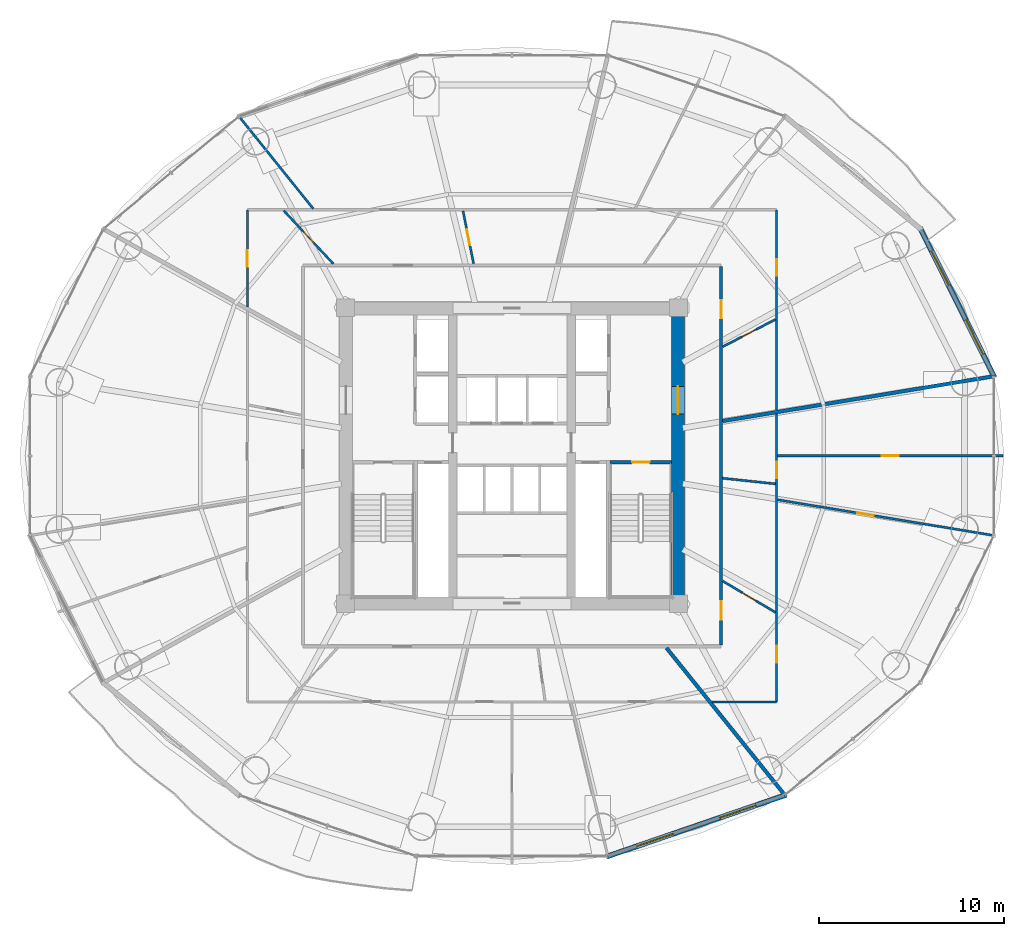
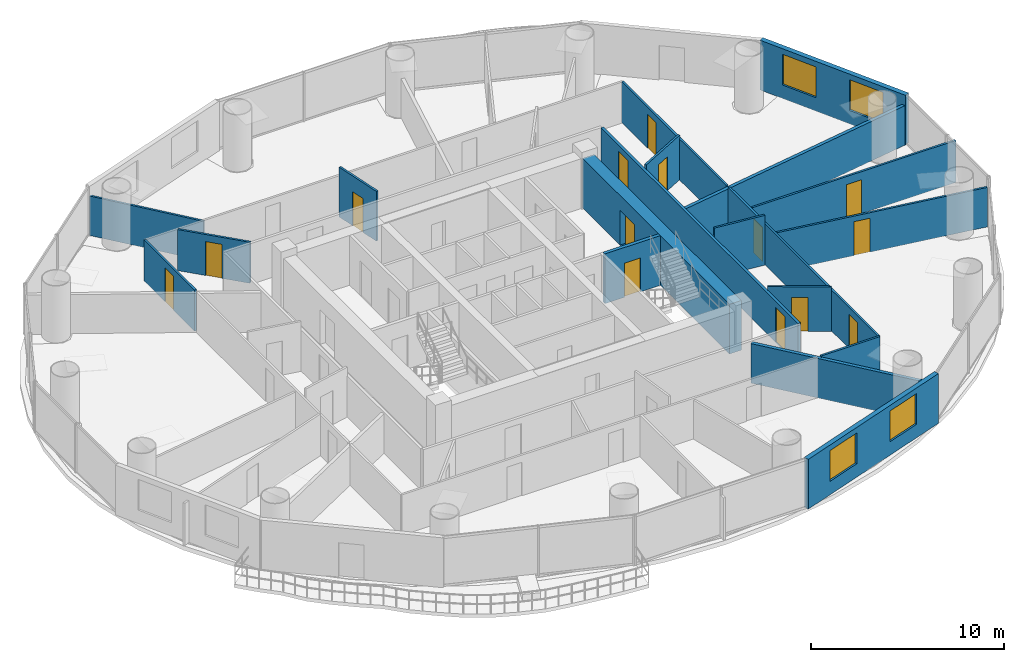
# One storey, part 24 of 29: 19 walls, 14 doors, 4 windows, 18 openings.
"""IFC4 building model written with IfcOpenShell, lengths in metres."""

import ifcopenshell
import ifcopenshell.guid

model = None  # the IFC model being written
_history = None  # IfcOwnerHistory: only IFC2X3 demands one
_inside = {}  # id of a spatial element -> (the spatial element, [elements in it])
_under = {}  # id of a project, library or spatial element -> (it, [spatial elements below it])
_declared = {}  # id of a project -> (the project, [libraries it declares])
_typed = {}  # id of a type object -> (the type object, [elements of that type])
_made_of = {}  # id of a material, layer set ... -> (it, [elements and type objects made of it])


def new_model(schema):
    """Start an empty IFC model of exactly this schema.

    Asked for "IFC4X3", IfcOpenShell would pick the latest addendum, in which some entities
    have other attributes; the version numbers below select the first issue.
    IFC2X3 requires an IfcOwnerHistory on every rooted entity: one is made here for all.
    """
    global model, _history
    if schema == "IFC4X3":
        model = ifcopenshell.file(schema_version=(4, 3, 0, 0))
    else:
        model = ifcopenshell.file(schema=schema)
    _inside.clear()
    _under.clear()
    _declared.clear()
    _typed.clear()
    _made_of.clear()
    _history = None
    if model.schema == "IFC2X3":
        org = make("IfcOrganization", Name="unknown")
        user = make(
            "IfcPersonAndOrganization",
            ThePerson=make("IfcPerson", FamilyName="unknown"),
            TheOrganization=org,
        )
        app = make(
            "IfcApplication",
            ApplicationDeveloper=org,
            Version="unknown",
            ApplicationFullName="unknown",
            ApplicationIdentifier="unknown",
        )
        _history = make(
            "IfcOwnerHistory",
            OwningUser=user,
            OwningApplication=app,
            ChangeAction="ADDED",
            CreationDate=0,
        )
    return model


def make(cls, **values):
    """One entity of the class cls with the attributes given. An attribute that is None is left unset."""
    return model.create_entity(
        cls, **{name: value for name, value in values.items() if value is not None}
    )


def rooted(cls, **values):
    """An entity with a GlobalId (a new one), such as an element, a storey or a relation."""
    return make(cls, GlobalId=ifcopenshell.guid.new(), OwnerHistory=_history, **values)


def si_unit(unit_type, name, prefix=None):
    """IfcSIUnit, for example si_unit("LENGTHUNIT", "METRE", prefix="MILLI")."""
    return make("IfcSIUnit", UnitType=unit_type, Prefix=prefix, Name=name)


def assignment(units):
    """IfcUnitAssignment: the units of a project."""
    return None if units is None else make("IfcUnitAssignment", Units=units)


def point(xyz):
    """IfcCartesianPoint."""
    return None if xyz is None else make("IfcCartesianPoint", Coordinates=xyz)


def direction(xyz):
    """IfcDirection."""
    return None if xyz is None else make("IfcDirection", DirectionRatios=xyz)


def frame(location, z_axis=None, x_axis=None):
    """IfcAxis2Placement3D, a coordinate frame: its origin and axes. An axis left out is left unset."""
    return make(
        "IfcAxis2Placement3D",
        Location=point(location),
        Axis=direction(z_axis),
        RefDirection=direction(x_axis),
    )


def frame_2d(location, x_axis=None):
    """IfcAxis2Placement2D, a coordinate frame in the plane: its origin and x axis."""
    return make(
        "IfcAxis2Placement2D", Location=point(location), RefDirection=direction(x_axis)
    )


def origin():
    """The frame at (0, 0, 0) with its axes left unset."""
    return frame((0.0, 0.0, 0.0))


def place(relative_to, where):
    """IfcLocalPlacement: puts the frame where relative to a parent placement (None: the world)."""
    return make(
        "IfcLocalPlacement", PlacementRelTo=relative_to, RelativePlacement=where
    )


def context(
    kind, dimensions, precision=None, world=None, true_north=None, identifier=None
):
    """IfcGeometricRepresentationContext, for example the 3D "Model" context."""
    return make(
        "IfcGeometricRepresentationContext",
        ContextIdentifier=identifier,
        ContextType=kind,
        CoordinateSpaceDimension=dimensions,
        Precision=precision,
        WorldCoordinateSystem=world,
        TrueNorth=true_north,
    )


def subcontext(parent, identifier, kind, view, scale=None):
    """IfcGeometricRepresentationSubContext, for example "Body" below "Model"."""
    return make(
        "IfcGeometricRepresentationSubContext",
        ContextIdentifier=identifier,
        ContextType=kind,
        ParentContext=parent,
        TargetScale=scale,
        TargetView=view,
    )


def project(units=None, contexts=None):
    """IfcProject with its units and contexts."""
    return rooted(
        "IfcProject",
        Name="project",
        RepresentationContexts=contexts,
        UnitsInContext=assignment(units),
    )


def spatial(cls, under=None, at=None, **own):
    """A site, building, storey or space (cls), placed at a placement, below another one or the project."""
    s = rooted(cls, ObjectPlacement=at, **own)
    if under is not None:
        _under.setdefault(under.id(), (under, []))[1].append(s)
    return s


def profile(cls, at=None, kind="AREA", **sizes):
    """A parametric profile (cls). Its sizes go by their IFC names, for example OverallWidth=200.0."""
    return make(cls, ProfileType=kind, Position=at, **sizes)


def rectangle(**sizes):
    """IfcRectangleProfileDef."""
    return profile("IfcRectangleProfileDef", **sizes)


def extrude(swept, where, along, depth):
    """IfcExtrudedAreaSolid: the profile swept, set in the frame where, extruded along a direction by depth."""
    return make(
        "IfcExtrudedAreaSolid",
        SweptArea=swept,
        Position=where,
        ExtrudedDirection=direction(along),
        Depth=depth,
    )


def shape(context_of_items, identifier, shape_type, items):
    """IfcShapeRepresentation: the items that make up one representation, for example the "Body"."""
    return make(
        "IfcShapeRepresentation",
        ContextOfItems=context_of_items,
        RepresentationIdentifier=identifier,
        RepresentationType=shape_type,
        Items=items,
    )


def source(mapping_origin, context_of_items, identifier, shape_type, items):
    """IfcRepresentationMap: a shape defined once, which mapped items show again and again."""
    return make(
        "IfcRepresentationMap",
        MappingOrigin=mapping_origin,
        MappedRepresentation=shape(context_of_items, identifier, shape_type, items),
    )


def transform(
    local_origin,
    x_axis=None,
    y_axis=None,
    z_axis=None,
    scale=None,
    scale2=None,
    scale3=None,
    uniform=True,
):
    """IfcCartesianTransformationOperator3D, or its non-uniform kind. x_axis, y_axis, z_axis: its Axis1, 2, 3."""
    if uniform:
        return make(
            "IfcCartesianTransformationOperator3D",
            Axis1=direction(x_axis),
            Axis2=direction(y_axis),
            LocalOrigin=point(local_origin),
            Scale=scale,
            Axis3=direction(z_axis),
        )
    return make(
        "IfcCartesianTransformationOperator3DnonUniform",
        Axis1=direction(x_axis),
        Axis2=direction(y_axis),
        LocalOrigin=point(local_origin),
        Scale=scale,
        Axis3=direction(z_axis),
        Scale2=scale2,
        Scale3=scale3,
    )


def mapped(mapping_source, mapping_target):
    """IfcMappedItem: shows the shape of a source again, moved by a transform."""
    return make(
        "IfcMappedItem", MappingSource=mapping_source, MappingTarget=mapping_target
    )


def material(Name=None, Category=None):
    """IfcMaterial."""
    return make("IfcMaterial", Name=Name, Category=Category)


def layer(
    of_material, thickness, ventilated=None, Name=None, Category=None, Priority=None
):
    """IfcMaterialLayer: one layer of a wall or slab, of a material (None: an air gap)."""
    return make(
        "IfcMaterialLayer",
        Material=of_material,
        LayerThickness=thickness,
        IsVentilated=ventilated,
        Name=Name,
        Category=Category,
        Priority=Priority,
    )


def layer_set(layers, Name=None):
    """IfcMaterialLayerSet."""
    return make("IfcMaterialLayerSet", MaterialLayers=layers, LayerSetName=Name)


def made_of(thing, what):
    """Note that an element or type object is made of a material, layer set ...; save() writes the relation."""
    if what is not None:
        _made_of.setdefault(what.id(), (what, []))[1].append(thing)
    return thing


def type_object(cls, material=None, **own):
    """A type object (cls), such as IfcWallType, which elements share."""
    return made_of(rooted(cls, **own), material)


def element(
    cls,
    number,
    at=None,
    inside=None,
    cuts=None,
    type_object=None,
    material=None,
    context=None,
    identifier="Body",
    shape_type=None,
    held_by="IfcProductDefinitionShape",
    body=None,
    shapes=None,
    **own,
):
    """One element of the class cls, such as IfcWall. Its Tag is "e" and its number.

    at: its placement. inside: the storey or other place that contains it. cuts: it is an
    opening in that element (IfcRelVoidsElement). A single representation is given by context,
    identifier, shape_type and body (its items); several are given by shapes. held_by: the class
    of the entity that holds the representations. save() writes the other relations.
    """
    e = rooted(cls, Tag="e%d" % number, ObjectPlacement=at, **own)
    if body is not None:
        shapes = [shape(context, identifier, shape_type, body)]
    if shapes is not None:
        e.Representation = make(held_by, Representations=shapes)
    if inside is not None:
        _inside.setdefault(inside.id(), (inside, []))[1].append(e)
    if cuts is not None:
        rooted(
            "IfcRelVoidsElement", RelatingBuildingElement=cuts, RelatedOpeningElement=e
        )
    if type_object is not None:
        _typed.setdefault(type_object.id(), (type_object, []))[1].append(e)
    return made_of(e, material)


def fill(opening, filler):
    """IfcRelFillsElement: the door or window that sits in an opening."""
    return rooted(
        "IfcRelFillsElement",
        RelatingOpeningElement=opening,
        RelatedBuildingElement=filler,
    )


def aggregate(whole, parts):
    """IfcRelAggregates: a whole, such as a stair, and the parts it consists of."""
    return rooted("IfcRelAggregates", RelatingObject=whole, RelatedObjects=parts)


def save(model, path):
    """Write the relations noted so far, then the file.

    IfcRelAggregates (storeys below a building ...), IfcRelContainedInSpatialStructure (elements
    in a storey), IfcRelDefinesByType, IfcRelAssociatesMaterial and IfcRelDeclares: one each for
    every whole, place, type object, material and project.
    """
    for whole, parts in _under.values():
        aggregate(whole, parts)
    for where, things in _inside.values():
        rooted(
            "IfcRelContainedInSpatialStructure",
            RelatedElements=things,
            RelatingStructure=where,
        )
    for kind, things in _typed.values():
        rooted("IfcRelDefinesByType", RelatedObjects=things, RelatingType=kind)
    for what, things in _made_of.values():
        rooted("IfcRelAssociatesMaterial", RelatedObjects=things, RelatingMaterial=what)
    for by, libraries in _declared.values():
        rooted("IfcRelDeclares", RelatingContext=by, RelatedDefinitions=libraries)
    model.write(path)


model = new_model("IFC4")

# Units and contexts
model_context = context("Model", 3, precision=1e-05, world=origin(), true_north=direction((-0.2419218956, 0.970295726276)))
body_context = subcontext(model_context, "Body", "Model", "MODEL_VIEW")
ifc_project = project(units=[si_unit("LENGTHUNIT", "METRE"), si_unit("AREAUNIT", "SQUARE_METRE"), si_unit("VOLUMEUNIT", "CUBIC_METRE"), si_unit("PLANEANGLEUNIT", "RADIAN"), si_unit("MASSUNIT", "GRAM", prefix="KILO")], contexts=[model_context])

# Site, building, storey
site_placement = place(None, origin())
site = spatial("IfcSite", under=ifc_project, at=site_placement, CompositionType="ELEMENT")
building_placement = place(site_placement, origin())
building = spatial("IfcBuilding", under=site, at=building_placement, Name="Cobrevalo Terracotta Tower", CompositionType="ELEMENT")
storey_placement = place(building_placement, frame((0.0, 0.0, 126.60009765625)))
storey = spatial("IfcBuildingStorey", under=building, at=storey_placement, Name="L33", CompositionType="ELEMENT", Elevation=126.60009765625)

# Wall, opening, door
ifc_material_1 = material(Name="Concrete C60", Category="concrete")
ifc_layer_1 = layer(ifc_material_1, 0.699951171875)
ifc_layer_set_1 = layer_set([ifc_layer_1], Name="Concrete C60")
wall_type_1 = type_object("IfcWallType", Name="Core shear wall 700 mm Concrete C60", PredefinedType="SHEAR", material=ifc_layer_set_1)
wall_1_placement = place(storey_placement, frame((46.97509765625, 19.175048828125, 0.0), z_axis=(0.0, 0.0, 1.0), x_axis=(0.0, 1.0, 0.0)))
wall_1 = element("IfcWall", 1, at=wall_1_placement, inside=storey, type_object=wall_type_1, Name="L33 east core shear wall", PredefinedType="SHEAR", context=body_context, shape_type="SweptSolid", body=[
    extrude(rectangle(XDim=15.25, YDim=0.699951171875, at=frame_2d((7.625, 0.0))), origin(), (0.0, 0.0, 1.0), 3.14990234375),
])
opening_1_placement = place(wall_1_placement, frame((9.875, 0.0, 0.0)))
opening_1 = element("IfcOpeningElement", 2, at=opening_1_placement, cuts=wall_1, Name="Opening ID-14", PredefinedType="OPENING", context=body_context, shape_type="SweptSolid", body=[
    extrude(rectangle(XDim=1.5, YDim=2.199951171875, at=frame_2d((0.75, 1.10009765625))), frame((0.0, 0.35986328125, 0.0), z_axis=(0.0, -1.0, 0.0), x_axis=(1.0, 0.0, 0.0)), (0.0, 0.0, 1.0), 0.719970703125),
])
ifc_material_2 = material(Name="Galvanized fire-rated steel", Category="steel")
door_type_1 = type_object("IfcDoorType", Name="Core cross-lobby double fire door 1500x2200 EI 90", OperationType="NOTDEFINED", PredefinedType="DOOR", material=ifc_material_2)
shared_shape_1 = source(origin(), body_context, "Body", "SweptSolid", [
    extrude(rectangle(XDim=1.5, YDim=2.199951171875, at=frame_2d((0.75, 1.10009765625))), frame((0.0, 0.02490234375, 0.0), z_axis=(0.0, -1.0, 0.0), x_axis=(1.0, 0.0, 0.0)), (0.0, 0.0, 1.0), 0.050048828125),
])
door_1_placement = place(opening_1_placement, frame((1.5, 0.0, 0.0), z_axis=(0.0, 0.0, 1.0), x_axis=(-1.0, 0.0, 0.0)))
door_1 = element("IfcDoor", 3, at=door_1_placement, inside=storey, type_object=door_type_1, Name="L33 east firefighting lobby entrance door", OperationType="DOUBLE_DOOR_SINGLE_SWING", OverallHeight=2.199951171875, OverallWidth=1.5, PredefinedType="DOOR", context=body_context, shape_type="MappedRepresentation", body=[
    mapped(shared_shape_1, transform((0.0, 0.0, 0.0), scale=1.0)),
])
fill(opening_1, door_1)

# Wall, openings, doors
ifc_material_3 = material(Name="Gypsum board on steel stud", Category="steel")
ifc_layer_2 = layer(ifc_material_3, 0.159912109375)
ifc_layer_set_2 = layer_set([ifc_layer_2], Name="Gypsum board on steel stud")
wall_type_2 = type_object("IfcWallType", Name="Fire-rated corridor acoustic partition wall 160 mm", PredefinedType="PARTITIONING", material=ifc_layer_set_2)
wall_2_placement = place(storey_placement, frame((49.304931640625, 16.574951171875, 0.0), z_axis=(0.0, 0.0, 1.0), x_axis=(0.0, 1.0, 0.0)))
wall_2 = element("IfcWall", 4, at=wall_2_placement, inside=storey, type_object=wall_type_2, Name="L33 interior partition IW-L33-COR-E", PredefinedType="PARTITIONING", context=body_context, shape_type="SweptSolid", body=[
    extrude(rectangle(XDim=20.449951171875, YDim=0.159912109375, at=frame_2d((10.22509765625, 0.0))), origin(), (0.0, 0.0, 1.0), 2.595947265625),
])
opening_2_placement = place(wall_2_placement, frame((17.660400390625, 0.0, 0.0)))
opening_2 = element("IfcOpeningElement", 5, at=opening_2_placement, cuts=wall_2, Name="Opening ID-05", PredefinedType="OPENING", context=body_context, shape_type="SweptSolid", body=[
    extrude(rectangle(XDim=0.97998046875, YDim=2.199951171875, at=frame_2d((0.489990234375, 1.10009765625))), frame((0.0, 0.08984375, 0.0), z_axis=(0.0, -1.0, 0.0), x_axis=(1.0, 0.0, 0.0)), (0.0, 0.0, 1.0), 0.179931640625),
])
opening_3_placement = place(wall_2_placement, frame((1.3740234375, 0.0, 0.0)))
opening_3 = element("IfcOpeningElement", 6, at=opening_3_placement, cuts=wall_2, Name="Opening ID-05", PredefinedType="OPENING", context=body_context, shape_type="SweptSolid", body=[
    extrude(rectangle(XDim=0.97998046875, YDim=2.199951171875, at=frame_2d((0.489990234375, 1.10009765625))), frame((0.0, 0.08984375, 0.0), z_axis=(0.0, -1.0, 0.0), x_axis=(1.0, 0.0, 0.0)), (0.0, 0.0, 1.0), 0.179931640625),
])
ifc_material_4 = material(Name="Solid hardwood timber", Category="wood")
door_type_2 = type_object("IfcDoorType", Name="Residence entrance fire-rated acoustic timber door 980x2200 EI 60", OperationType="NOTDEFINED", PredefinedType="DOOR", material=ifc_material_4)
shared_shape_2 = source(origin(), body_context, "Body", "SweptSolid", [
    extrude(rectangle(XDim=0.97998046875, YDim=2.199951171875, at=frame_2d((0.489990234375, 1.10009765625))), frame((0.0, 0.02490234375, 0.0), z_axis=(0.0, -1.0, 0.0), x_axis=(1.0, 0.0, 0.0)), (0.0, 0.0, 1.0), 0.050048828125),
])
door_2_placement = place(opening_2_placement, frame((0.97998046875, 0.0, 0.0), z_axis=(0.0, 0.0, 1.0), x_axis=(-1.0, 0.0, 0.0)))
door_2 = element("IfcDoor", 7, at=door_2_placement, inside=storey, type_object=door_type_2, Name="Flat L33A fire-rated apartment entrance door", OperationType="SINGLE_SWING_LEFT", OverallHeight=2.199951171875, OverallWidth=0.97998046875, PredefinedType="DOOR", context=body_context, shape_type="MappedRepresentation", body=[
    mapped(shared_shape_2, transform((0.0, 0.0, 0.0), scale=1.0)),
])
fill(opening_2, door_2)
door_3_placement = place(opening_3_placement, frame((0.97998046875, 0.0, 0.0), z_axis=(0.0, 0.0, 1.0), x_axis=(-1.0, 0.0, 0.0)))
door_3 = element("IfcDoor", 8, at=door_3_placement, inside=storey, type_object=door_type_2, Name="Flat L33E fire-rated apartment entrance door", OperationType="SINGLE_SWING_LEFT", OverallHeight=2.199951171875, OverallWidth=0.97998046875, PredefinedType="DOOR", context=body_context, shape_type="MappedRepresentation", body=[
    mapped(shared_shape_2, transform((0.0, 0.0, 0.0), scale=1.0)),
])
fill(opening_3, door_3)

# Walls
ifc_material_5 = material(Name="Autoclaved aerated concrete block", Category="concrete")
ifc_layer_3 = layer(ifc_material_5, 0.199951171875)
ifc_layer_set_3 = layer_set([ifc_layer_3], Name="Autoclaved aerated concrete block")
wall_type_3 = type_object("IfcWallType", Name="Fire-rated stair, shaft & demising masonry wall 200 mm", PredefinedType="PARTITIONING", material=ifc_layer_set_3)
wall_3_placement = place(storey_placement, frame((49.386962890625, 28.681884765625, 0.0), z_axis=(0.0, 0.0, 1.0), x_axis=(0.986617934215, 0.163049231479, 0.0)))
element("IfcWall", 9, at=wall_3_placement, inside=storey, type_object=wall_type_3, Name="L33 interior partition IW-L33-DEM-1", PredefinedType="PARTITIONING", context=body_context, shape_type="SweptSolid", body=[
    extrude(rectangle(XDim=14.78466796875, YDim=0.199951171875, at=frame_2d((7.392333984375, 0.0))), origin(), (0.0, 0.0, 1.0), 2.5),
])
wall_4_placement = place(storey_placement, frame((46.35205078125, 16.4150390625, 0.0), z_axis=(0.0, 0.0, 1.0), x_axis=(0.626701127389, -0.779259710834, 0.0)))
element("IfcWall", 10, at=wall_4_placement, inside=storey, type_object=wall_type_3, Name="L33 interior partition IW-L33-DEM-5", PredefinedType="PARTITIONING", context=body_context, shape_type="SweptSolid", body=[
    extrude(rectangle(XDim=10.14111328125, YDim=0.199951171875, at=frame_2d((5.070556640625, 0.0))), origin(), (0.0, 0.0, 1.0), 2.5),
])

# Wall, openings, windows
ifc_layer_4 = layer(ifc_material_5, 0.280029296875)
ifc_layer_set_4 = layer_set([ifc_layer_4], Name="Autoclaved aerated concrete block")
wall_type_4 = type_object("IfcWallType", Name="Insulated tower spandrel & pier wall 280 mm with terracotta rainscreen", PredefinedType="SOLIDWALL", material=ifc_layer_set_4)
wall_5_placement = place(storey_placement, frame((64.09521484375, 31.033935546875, 0.0), z_axis=(0.0, 0.0, 1.0), x_axis=(-0.446263788661, 0.894901464369, 0.0)))
wall_5 = element("IfcWall", 11, at=wall_5_placement, inside=storey, type_object=wall_type_4, Name="L33 terracotta rainscreen pier wall S01", PredefinedType="SOLIDWALL", context=body_context, shape_type="SweptSolid", body=[
    extrude(rectangle(XDim=9.05029296875, YDim=0.280029296875, at=frame_2d((4.525146484375, 0.0))), origin(), (0.0, 0.0, 1.0), 3.14990234375),
])
opening_4_placement = place(wall_5_placement, frame((1.3935546875, 0.0, 0.85009765625)))
opening_4 = element("IfcOpeningElement", 12, at=opening_4_placement, cuts=wall_5, Name="Opening WN-10", PredefinedType="OPENING", context=body_context, shape_type="SweptSolid", body=[
    extrude(rectangle(XDim=2.10009765625, YDim=1.949951171875, at=frame_2d((1.050048828125, 0.97509765625))), frame((0.0, 0.14990234375, 0.0), z_axis=(0.0, -1.0, 0.0), x_axis=(1.0, 0.0, 0.0)), (0.0, 0.0, 1.0), 0.300048828125),
])
opening_5_placement = place(wall_5_placement, frame((5.556640625, 0.0, 0.85009765625)))
opening_5 = element("IfcOpeningElement", 13, at=opening_5_placement, cuts=wall_5, Name="Opening WN-10", PredefinedType="OPENING", context=body_context, shape_type="SweptSolid", body=[
    extrude(rectangle(XDim=2.10009765625, YDim=1.949951171875, at=frame_2d((1.050048828125, 0.97509765625))), frame((0.0, 0.14990234375, 0.0), z_axis=(0.0, -1.0, 0.0), x_axis=(1.0, 0.0, 0.0)), (0.0, 0.0, 1.0), 0.300048828125),
])
ifc_material_6 = material(Name="Solar-control low-E double glazing", Category="glass")
window_type = type_object("IfcWindowType", Name="Wide panoramic low-E aluminium window 2100x1950", PartitioningType="SINGLE_PANEL", PredefinedType="WINDOW", material=ifc_material_6)
shared_shape_3 = source(origin(), body_context, "Body", "SweptSolid", [
    extrude(rectangle(XDim=2.10009765625, YDim=1.949951171875, at=frame_2d((1.050048828125, 0.97509765625))), frame((0.0, 0.030029296875, 0.0), z_axis=(0.0, -1.0, 0.0), x_axis=(1.0, 0.0, 0.0)), (0.0, 0.0, 1.0), 0.06005859375),
])
window_1_placement = place(opening_4_placement, origin())
window_1 = element("IfcWindow", 14, at=window_1_placement, inside=storey, type_object=window_type, Name="L33 suite window S01A", OverallHeight=1.949951171875, OverallWidth=2.10009765625, PartitioningType="SINGLE_PANEL", PredefinedType="WINDOW", context=body_context, shape_type="MappedRepresentation", body=[
    mapped(shared_shape_3, transform((0.0, 0.0, 0.0), scale=1.0)),
])
fill(opening_4, window_1)
window_2_placement = place(opening_5_placement, origin())
window_2 = element("IfcWindow", 15, at=window_2_placement, inside=storey, type_object=window_type, Name="L33 suite window S01B", OverallHeight=1.949951171875, OverallWidth=2.10009765625, PartitioningType="SINGLE_PANEL", PredefinedType="WINDOW", context=body_context, shape_type="MappedRepresentation", body=[
    mapped(shared_shape_3, transform((0.0, 0.0, 0.0), scale=1.0)),
])
fill(opening_5, window_2)

wall_6_placement = place(storey_placement, frame((43.10791015625, 5.1279296875, 0.0), z_axis=(0.0, 0.0, 1.0), x_axis=(0.945590132341, 0.325360264351, 0.0)))
wall_6 = element("IfcWall", 16, at=wall_6_placement, inside=storey, type_object=wall_type_4, Name="L33 terracotta rainscreen pier wall S13", PredefinedType="SOLIDWALL", context=body_context, shape_type="SweptSolid", body=[
    extrude(rectangle(XDim=10.2890625, YDim=0.280029296875, at=frame_2d((5.14453125, 0.0))), origin(), (0.0, 0.0, 1.0), 3.14990234375),
])
opening_6_placement = place(wall_6_placement, frame((1.72802734375, 0.0, 0.85009765625)))
opening_6 = element("IfcOpeningElement", 17, at=opening_6_placement, cuts=wall_6, Name="Opening WN-10", PredefinedType="OPENING", context=body_context, shape_type="SweptSolid", body=[
    extrude(rectangle(XDim=2.10009765625, YDim=1.949951171875, at=frame_2d((1.050048828125, 0.97509765625))), frame((0.0, 0.14990234375, 0.0), z_axis=(0.0, -1.0, 0.0), x_axis=(1.0, 0.0, 0.0)), (0.0, 0.0, 1.0), 0.300048828125),
])
opening_7_placement = place(wall_6_placement, frame((6.4609375, 0.0, 0.85009765625)))
opening_7 = element("IfcOpeningElement", 18, at=opening_7_placement, cuts=wall_6, Name="Opening WN-10", PredefinedType="OPENING", context=body_context, shape_type="SweptSolid", body=[
    extrude(rectangle(XDim=2.10009765625, YDim=1.949951171875, at=frame_2d((1.050048828125, 0.97509765625))), frame((0.0, 0.14990234375, 0.0), z_axis=(0.0, -1.0, 0.0), x_axis=(1.0, 0.0, 0.0)), (0.0, 0.0, 1.0), 0.300048828125),
])
window_3_placement = place(opening_6_placement, origin())
window_3 = element("IfcWindow", 19, at=window_3_placement, inside=storey, type_object=window_type, Name="L33 suite window S13A", OverallHeight=1.949951171875, OverallWidth=2.10009765625, PartitioningType="SINGLE_PANEL", PredefinedType="WINDOW", context=body_context, shape_type="MappedRepresentation", body=[
    mapped(shared_shape_3, transform((0.0, 0.0, 0.0), scale=1.0)),
])
fill(opening_6, window_3)
window_4_placement = place(opening_7_placement, origin())
window_4 = element("IfcWindow", 20, at=window_4_placement, inside=storey, type_object=window_type, Name="L33 suite window S13B", OverallHeight=1.949951171875, OverallWidth=2.10009765625, PartitioningType="SINGLE_PANEL", PredefinedType="WINDOW", context=body_context, shape_type="MappedRepresentation", body=[
    mapped(shared_shape_3, transform((0.0, 0.0, 0.0), scale=1.0)),
])
fill(opening_7, window_4)

# Wall, opening, door
ifc_layer_5 = layer(ifc_material_3, 0.1201171875)
ifc_layer_set_5 = layer_set([ifc_layer_5], Name="Gypsum board on steel stud")
wall_type_5 = type_object("IfcWallType", Name="Residential internal acoustic stud partition 120 mm", PredefinedType="PARTITIONING", material=ifc_layer_set_5)
wall_7_placement = place(storey_placement, frame((52.304931640625, 40.10498046875, 0.0), z_axis=(0.0, 0.0, 1.0), x_axis=(0.0, -1.0, 0.0)))
wall_7 = element("IfcWall", 21, at=wall_7_placement, inside=storey, type_object=wall_type_5, Name="L33 interior partition IW-L33-U1-RING1_0", PredefinedType="PARTITIONING", context=body_context, shape_type="SweptSolid", body=[
    extrude(rectangle(XDim=10.8388671875, YDim=0.1201171875, at=frame_2d((5.41943359375, 0.0))), origin(), (0.0, 0.0, 1.0), 2.595947265625),
])
opening_8_placement = place(wall_7_placement, frame((2.6748046875, 0.0, 0.0)))
opening_8 = element("IfcOpeningElement", 22, at=opening_8_placement, cuts=wall_7, Name="Opening ID-12", PredefinedType="OPENING", context=body_context, shape_type="SweptSolid", body=[
    extrude(rectangle(XDim=0.89990234375, YDim=2.14990234375, at=frame_2d((0.449951171875, 1.074951171875))), frame((0.0, 0.070068359375, 0.0), z_axis=(0.0, -1.0, 0.0), x_axis=(1.0, 0.0, 0.0)), (0.0, 0.0, 1.0), 0.14013671875),
])
ifc_material_7 = material(Name="Engineered timber", Category="wood")
door_type_3 = type_object("IfcDoorType", Name="Internal residence & suite timber door 900x2150", OperationType="NOTDEFINED", PredefinedType="DOOR", material=ifc_material_7)
shared_shape_4 = source(origin(), body_context, "Body", "SweptSolid", [
    extrude(rectangle(XDim=0.89990234375, YDim=2.14990234375, at=frame_2d((0.449951171875, 1.074951171875))), frame((0.0, 0.02490234375, 0.0), z_axis=(0.0, -1.0, 0.0), x_axis=(1.0, 0.0, 0.0)), (0.0, 0.0, 1.0), 0.050048828125),
])
door_4_placement = place(opening_8_placement, origin())
door_4 = element("IfcDoor", 23, at=door_4_placement, inside=storey, type_object=door_type_3, Name="Flat L33A Penthouse Living and Dining Room internal door", OperationType="SINGLE_SWING_LEFT", OverallHeight=2.14990234375, OverallWidth=0.89990234375, PredefinedType="DOOR", context=body_context, shape_type="MappedRepresentation", body=[
    mapped(shared_shape_4, transform((0.0, 0.0, 0.0), scale=1.0)),
])
fill(opening_8, door_4)

wall_8_placement = place(storey_placement, frame((49.38671875, 32.695068359375, 0.0), z_axis=(0.0, 0.0, 1.0), x_axis=(0.888069491277, 0.459709232737, 0.0)))
wall_8 = element("IfcWall", 24, at=wall_8_placement, inside=storey, type_object=wall_type_5, Name="L33 interior partition IW-L33-U1-IRAD1", PredefinedType="PARTITIONING", context=body_context, shape_type="SweptSolid", body=[
    extrude(rectangle(XDim=3.22412109375, YDim=0.1201171875, at=frame_2d((1.612060546875, 0.0))), origin(), (0.0, 0.0, 1.0), 2.824951171875),
])
opening_9_placement = place(wall_8_placement, frame((1.18212890625, 0.0, 0.0)))
opening_9 = element("IfcOpeningElement", 25, at=opening_9_placement, cuts=wall_8, Name="Opening ID-19", PredefinedType="OPENING", context=body_context, shape_type="SweptSolid", body=[
    extrude(rectangle(XDim=0.860107421875, YDim=2.14990234375, at=frame_2d((0.43017578125, 1.074951171875))), frame((0.0, 0.070068359375, 0.0), z_axis=(0.0, -1.0, 0.0), x_axis=(1.0, 0.0, 0.0)), (0.0, 0.0, 1.0), 0.14013671875),
])
ifc_material_8 = material(Name="Moisture-sealed timber", Category="wood")
door_type_4 = type_object("IfcDoorType", Name="Suite bathroom internal timber door 860x2150", OperationType="NOTDEFINED", PredefinedType="DOOR", material=ifc_material_8)
shared_shape_5 = source(origin(), body_context, "Body", "SweptSolid", [
    extrude(rectangle(XDim=0.860107421875, YDim=2.14990234375, at=frame_2d((0.43017578125, 1.074951171875))), frame((0.0, 0.02490234375, 0.0), z_axis=(0.0, -1.0, 0.0), x_axis=(1.0, 0.0, 0.0)), (0.0, 0.0, 1.0), 0.050048828125),
])
door_5_placement = place(opening_9_placement, frame((0.860107421875, 0.0, 0.0), z_axis=(0.0, 0.0, 1.0), x_axis=(-1.0, 0.0, 0.0)))
door_5 = element("IfcDoor", 26, at=door_5_placement, inside=storey, type_object=door_type_4, Name="Flat L33A Primary Bathroom internal door", OperationType="SINGLE_SWING_RIGHT", OverallHeight=2.14990234375, OverallWidth=0.860107421875, PredefinedType="DOOR", context=body_context, shape_type="MappedRepresentation", body=[
    mapped(shared_shape_5, transform((0.0, 0.0, 0.0), scale=1.0)),
])
fill(opening_9, door_5)

wall_9_placement = place(storey_placement, frame((23.695068359375, 34.84326171875, 0.0), z_axis=(0.0, 0.0, 1.0), x_axis=(0.0, 1.0, 0.0)))
wall_9 = element("IfcWall", 27, at=wall_9_placement, inside=storey, type_object=wall_type_5, Name="L33 interior partition IW-L33-U2-RING0_0", PredefinedType="PARTITIONING", context=body_context, shape_type="SweptSolid", body=[
    extrude(rectangle(XDim=5.26171875, YDim=0.1201171875, at=frame_2d((2.630859375, 0.0))), origin(), (0.0, 0.0, 1.0), 2.595947265625),
])
opening_10_placement = place(wall_9_placement, frame((2.180908203125, 0.0, 0.0)))
opening_10 = element("IfcOpeningElement", 28, at=opening_10_placement, cuts=wall_9, Name="Opening ID-12", PredefinedType="OPENING", context=body_context, shape_type="SweptSolid", body=[
    extrude(rectangle(XDim=0.89990234375, YDim=2.14990234375, at=frame_2d((0.449951171875, 1.074951171875))), frame((0.0, 0.070068359375, 0.0), z_axis=(0.0, -1.0, 0.0), x_axis=(1.0, 0.0, 0.0)), (0.0, 0.0, 1.0), 0.14013671875),
])
door_6_placement = place(opening_10_placement, origin())
door_6 = element("IfcDoor", 29, at=door_6_placement, inside=storey, type_object=door_type_3, Name="Flat L33B Master Bedroom internal door", OperationType="SINGLE_SWING_LEFT", OverallHeight=2.14990234375, OverallWidth=0.89990234375, PredefinedType="DOOR", context=body_context, shape_type="MappedRepresentation", body=[
    mapped(shared_shape_4, transform((0.0, 0.0, 0.0), scale=1.0)),
])
fill(opening_10, door_6)

# Wall
wall_10_placement = place(storey_placement, frame((27.2607421875, 40.1533203125, 0.0), z_axis=(0.0, 0.0, 1.0), x_axis=(-0.626714875168, 0.779248654309, 0.0)))
element("IfcWall", 30, at=wall_10_placement, inside=storey, type_object=wall_type_5, Name="L33 interior partition IW-L33-U2-ORAD1", PredefinedType="PARTITIONING", context=body_context, shape_type="SweptSolid", body=[
    extrude(rectangle(XDim=6.331787109375, YDim=0.1201171875, at=frame_2d((3.166015625, 0.0))), origin(), (0.0, 0.0, 1.0), 2.5),
])

# Wall, opening, door
wall_11_placement = place(storey_placement, frame((35.924560546875, 37.18505859375, 0.0), z_axis=(0.0, 0.0, 1.0), x_axis=(-0.196019518907, 0.980599993987, 0.0)))
wall_11 = element("IfcWall", 31, at=wall_11_placement, inside=storey, type_object=wall_type_5, Name="L33 interior partition IW-L33-U2-IRAD1", PredefinedType="PARTITIONING", context=body_context, shape_type="SweptSolid", body=[
    extrude(rectangle(XDim=2.915771484375, YDim=0.1201171875, at=frame_2d((1.4580078125, 0.0))), origin(), (0.0, 0.0, 1.0), 3.14990234375),
])
opening_11_placement = place(wall_11_placement, frame((1.02783203125, 0.0, 0.0)))
opening_11 = element("IfcOpeningElement", 32, at=opening_11_placement, cuts=wall_11, Name="Opening ID-19", PredefinedType="OPENING", context=body_context, shape_type="SweptSolid", body=[
    extrude(rectangle(XDim=0.860107421875, YDim=2.14990234375, at=frame_2d((0.43017578125, 1.074951171875))), frame((0.0, 0.070068359375, 0.0), z_axis=(0.0, -1.0, 0.0), x_axis=(1.0, 0.0, 0.0)), (0.0, 0.0, 1.0), 0.14013671875),
])
door_7_placement = place(opening_11_placement, frame((0.860107421875, 0.0, 0.0), z_axis=(0.0, 0.0, 1.0), x_axis=(-1.0, 0.0, 0.0)))
door_7 = element("IfcDoor", 33, at=door_7_placement, inside=storey, type_object=door_type_4, Name="Flat L33B Primary Bathroom internal door", OperationType="SINGLE_SWING_RIGHT", OverallHeight=2.14990234375, OverallWidth=0.860107421875, PredefinedType="DOOR", context=body_context, shape_type="MappedRepresentation", body=[
    mapped(shared_shape_5, transform((0.0, 0.0, 0.0), scale=1.0)),
])
fill(opening_11, door_7)

wall_12_placement = place(storey_placement, frame((28.335205078125, 37.18505859375, 0.0), z_axis=(0.0, 0.0, 1.0), x_axis=(-0.681251984121, 0.732048997083, 0.0)))
wall_12 = element("IfcWall", 34, at=wall_12_placement, inside=storey, type_object=wall_type_5, Name="L33 interior partition IW-L33-U2-IRAD2", PredefinedType="PARTITIONING", context=body_context, shape_type="SweptSolid", body=[
    extrude(rectangle(XDim=3.9267578125, YDim=0.1201171875, at=frame_2d((1.96337890625, 0.0))), origin(), (0.0, 0.0, 1.0), 2.595947265625),
])
opening_12_placement = place(wall_12_placement, frame((1.513427734375, 0.0, 0.0)))
opening_12 = element("IfcOpeningElement", 35, at=opening_12_placement, cuts=wall_12, Name="Opening ID-12", PredefinedType="OPENING", context=body_context, shape_type="SweptSolid", body=[
    extrude(rectangle(XDim=0.89990234375, YDim=2.14990234375, at=frame_2d((0.449951171875, 1.074951171875))), frame((0.0, 0.070068359375, 0.0), z_axis=(0.0, -1.0, 0.0), x_axis=(1.0, 0.0, 0.0)), (0.0, 0.0, 1.0), 0.14013671875),
])
door_8_placement = place(opening_12_placement, origin())
door_8 = element("IfcDoor", 36, at=door_8_placement, inside=storey, type_object=door_type_3, Name="Flat L33B Kitchen internal door", OperationType="SINGLE_SWING_RIGHT", OverallHeight=2.14990234375, OverallWidth=0.89990234375, PredefinedType="DOOR", context=body_context, shape_type="MappedRepresentation", body=[
    mapped(shared_shape_4, transform((0.0, 0.0, 0.0), scale=1.0)),
])
fill(opening_12, door_8)

# Wall, openings, doors
wall_13_placement = place(storey_placement, frame((52.304931640625, 29.06201171875, 0.0), z_axis=(0.0, 0.0, 1.0), x_axis=(0.0, -1.0, 0.0)))
wall_13 = element("IfcWall", 37, at=wall_13_placement, inside=storey, type_object=wall_type_5, Name="L33 interior partition IW-L33-U5-RING0_0", PredefinedType="PARTITIONING", context=body_context, shape_type="SweptSolid", body=[
    extrude(rectangle(XDim=15.56689453125, YDim=0.1201171875, at=frame_2d((7.783447265625, 0.0))), origin(), (0.0, 0.0, 1.0), 2.595947265625),
])
opening_13_placement = place(wall_13_placement, frame((12.534912109375, 0.0, 0.0)))
opening_13 = element("IfcOpeningElement", 38, at=opening_13_placement, cuts=wall_13, Name="Opening ID-12", PredefinedType="OPENING", context=body_context, shape_type="SweptSolid", body=[
    extrude(rectangle(XDim=0.89990234375, YDim=2.14990234375, at=frame_2d((0.449951171875, 1.074951171875))), frame((0.0, 0.070068359375, 0.0), z_axis=(0.0, -1.0, 0.0), x_axis=(1.0, 0.0, 0.0)), (0.0, 0.0, 1.0), 0.14013671875),
])
opening_14_placement = place(wall_13_placement, frame((2.58203125, 0.0, 0.0)))
opening_14 = element("IfcOpeningElement", 39, at=opening_14_placement, cuts=wall_13, Name="Opening ID-12", PredefinedType="OPENING", context=body_context, shape_type="SweptSolid", body=[
    extrude(rectangle(XDim=0.89990234375, YDim=2.14990234375, at=frame_2d((0.449951171875, 1.074951171875))), frame((0.0, 0.070068359375, 0.0), z_axis=(0.0, -1.0, 0.0), x_axis=(1.0, 0.0, 0.0)), (0.0, 0.0, 1.0), 0.14013671875),
])
door_9_placement = place(opening_13_placement, origin())
door_9 = element("IfcDoor", 40, at=door_9_placement, inside=storey, type_object=door_type_3, Name="Flat L33E Penthouse Living and Dining Room internal door", OperationType="SINGLE_SWING_LEFT", OverallHeight=2.14990234375, OverallWidth=0.89990234375, PredefinedType="DOOR", context=body_context, shape_type="MappedRepresentation", body=[
    mapped(shared_shape_4, transform((0.0, 0.0, 0.0), scale=1.0)),
])
fill(opening_13, door_9)
door_10_placement = place(opening_14_placement, frame((0.89990234375, 0.0, 0.0), z_axis=(0.0, 0.0, 1.0), x_axis=(-1.0, 0.0, 0.0)))
door_10 = element("IfcDoor", 41, at=door_10_placement, inside=storey, type_object=door_type_3, Name="Flat L33E Kitchen internal door", OperationType="SINGLE_SWING_LEFT", OverallHeight=2.14990234375, OverallWidth=0.89990234375, PredefinedType="DOOR", context=body_context, shape_type="MappedRepresentation", body=[
    mapped(shared_shape_4, transform((0.0, 0.0, 0.0), scale=1.0)),
])
fill(opening_14, door_10)

# Wall
wall_14_placement = place(storey_placement, frame((52.304931640625, 13.4951171875, 0.0), z_axis=(0.0, 0.0, 1.0), x_axis=(-1.0, 0.0, 0.0)))
element("IfcWall", 42, at=wall_14_placement, inside=storey, type_object=wall_type_5, Name="L33 interior partition IW-L33-U5-RING1_0", PredefinedType="PARTITIONING", context=body_context, shape_type="SweptSolid", body=[
    extrude(rectangle(XDim=3.502685546875, YDim=0.1201171875, at=frame_2d((1.75146484375, 0.0))), origin(), (0.0, 0.0, 1.0), 2.595947265625),
])

# Wall, opening, door
wall_15_placement = place(storey_placement, frame((52.3662109375, 24.42578125, 0.0), z_axis=(0.0, 0.0, 1.0), x_axis=(0.986619012175, -0.163042708564, 0.0)))
wall_15 = element("IfcWall", 43, at=wall_15_placement, inside=storey, type_object=wall_type_5, Name="L33 interior partition IW-L33-U5-ORAD1", PredefinedType="PARTITIONING", context=body_context, shape_type="SweptSolid", body=[
    extrude(rectangle(XDim=11.76513671875, YDim=0.1201171875, at=frame_2d((5.882568359375, 0.0))), origin(), (0.0, 0.0, 1.0), 2.5),
])
opening_15_placement = place(wall_15_placement, frame((4.359130859375, 0.0, 0.0)))
opening_15 = element("IfcOpeningElement", 44, at=opening_15_placement, cuts=wall_15, Name="Opening ID-12", PredefinedType="OPENING", context=body_context, shape_type="SweptSolid", body=[
    extrude(rectangle(XDim=0.89990234375, YDim=2.14990234375, at=frame_2d((0.449951171875, 1.074951171875))), frame((0.0, 0.070068359375, 0.0), z_axis=(0.0, -1.0, 0.0), x_axis=(1.0, 0.0, 0.0)), (0.0, 0.0, 1.0), 0.14013671875),
])
door_11_placement = place(opening_15_placement, origin())
door_11 = element("IfcDoor", 45, at=door_11_placement, inside=storey, type_object=door_type_3, Name="Flat L33E Master Bedroom internal door", OperationType="SINGLE_SWING_RIGHT", OverallHeight=2.14990234375, OverallWidth=0.89990234375, PredefinedType="DOOR", context=body_context, shape_type="MappedRepresentation", body=[
    mapped(shared_shape_4, transform((0.0, 0.0, 0.0), scale=1.0)),
])
fill(opening_15, door_11)

wall_16_placement = place(storey_placement, frame((52.366943359375, 26.800048828125, 0.0), z_axis=(0.0, 0.0, 1.0), x_axis=(1.0, 0.0, 0.0)))
wall_16 = element("IfcWall", 46, at=wall_16_placement, inside=storey, type_object=wall_type_5, Name="L33 interior partition IW-L33-U5-ORAD2M1", PredefinedType="PARTITIONING", context=body_context, shape_type="SweptSolid", body=[
    extrude(rectangle(XDim=12.173095703125, YDim=0.1201171875, at=frame_2d((6.08642578125, 0.0))), origin(), (0.0, 0.0, 1.0), 2.666015625),
])
opening_16_placement = place(wall_16_placement, frame((5.636474609375, 0.0, 0.0)))
opening_16 = element("IfcOpeningElement", 47, at=opening_16_placement, cuts=wall_16, Name="Opening ID-12", PredefinedType="OPENING", context=body_context, shape_type="SweptSolid", body=[
    extrude(rectangle(XDim=0.89990234375, YDim=2.14990234375, at=frame_2d((0.449951171875, 1.074951171875))), frame((0.0, 0.070068359375, 0.0), z_axis=(0.0, -1.0, 0.0), x_axis=(1.0, 0.0, 0.0)), (0.0, 0.0, 1.0), 0.14013671875),
])
door_12_placement = place(opening_16_placement, origin())
door_12 = element("IfcDoor", 48, at=door_12_placement, inside=storey, type_object=door_type_3, Name="Flat L33E Penthouse Family Lounge internal door", OperationType="SINGLE_SWING_RIGHT", OverallHeight=2.14990234375, OverallWidth=0.89990234375, PredefinedType="DOOR", context=body_context, shape_type="MappedRepresentation", body=[
    mapped(shared_shape_4, transform((0.0, 0.0, 0.0), scale=1.0)),
])
fill(opening_16, door_12)

wall_17_placement = place(storey_placement, frame((49.38671875, 20.033935546875, 0.0), z_axis=(0.0, 0.0, 1.0), x_axis=(0.859682842925, -0.510828160521, 0.0)))
wall_17 = element("IfcWall", 49, at=wall_17_placement, inside=storey, type_object=wall_type_5, Name="L33 interior partition IW-L33-U5-IRAD1", PredefinedType="PARTITIONING", context=body_context, shape_type="SweptSolid", body=[
    extrude(rectangle(XDim=3.33251953125, YDim=0.1201171875, at=frame_2d((1.666259765625, 0.0))), origin(), (0.0, 0.0, 1.0), 2.824951171875),
])
opening_17_placement = place(wall_17_placement, frame((1.236328125, 0.0, 0.0)))
opening_17 = element("IfcOpeningElement", 50, at=opening_17_placement, cuts=wall_17, Name="Opening ID-19", PredefinedType="OPENING", context=body_context, shape_type="SweptSolid", body=[
    extrude(rectangle(XDim=0.860107421875, YDim=2.14990234375, at=frame_2d((0.43017578125, 1.074951171875))), frame((0.0, 0.070068359375, 0.0), z_axis=(0.0, -1.0, 0.0), x_axis=(1.0, 0.0, 0.0)), (0.0, 0.0, 1.0), 0.14013671875),
])
door_13_placement = place(opening_17_placement, origin())
door_13 = element("IfcDoor", 51, at=door_13_placement, inside=storey, type_object=door_type_4, Name="Flat L33E Primary Bathroom internal door", OperationType="SINGLE_SWING_RIGHT", OverallHeight=2.14990234375, OverallWidth=0.860107421875, PredefinedType="DOOR", context=body_context, shape_type="MappedRepresentation", body=[
    mapped(shared_shape_5, transform((0.0, 0.0, 0.0), scale=1.0)),
])
fill(opening_17, door_13)

# Wall
wall_18_placement = place(storey_placement, frame((49.386962890625, 25.58984375, 0.0), z_axis=(0.0, 0.0, 1.0), x_axis=(0.99440393079, -0.105644793673, 0.0)))
element("IfcWall", 52, at=wall_18_placement, inside=storey, type_object=wall_type_5, Name="L33 interior partition IW-L33-U5-IRAD2", PredefinedType="PARTITIONING", context=body_context, shape_type="SweptSolid", body=[
    extrude(rectangle(XDim=2.87255859375, YDim=0.1201171875, at=frame_2d((1.436279296875, 0.0))), origin(), (0.0, 0.0, 1.0), 3.14990234375),
])

# Wall, opening, door
ifc_material_9 = material(Name="Concrete C50", Category="concrete")
ifc_layer_6 = layer(ifc_material_9, 0.199951171875)
ifc_layer_set_6 = layer_set([ifc_layer_6], Name="Concrete C50")
wall_type_6 = type_object("IfcWallType", Name="Structural core & podium stair-shaft RC wall 200 mm Concrete C50", PredefinedType="SOLIDWALL", material=ifc_layer_set_6)
wall_19_placement = place(storey_placement, frame((43.304931640625, 26.449951171875, 0.0), z_axis=(0.0, 0.0, 1.0), x_axis=(1.0, 0.0, 0.0)))
wall_19 = element("IfcWall", 53, at=wall_19_placement, inside=storey, type_object=wall_type_6, Name="L33 ST-2 north structural shaft wall", PredefinedType="SOLIDWALL", context=body_context, shape_type="SweptSolid", body=[
    extrude(rectangle(XDim=3.320068359375, YDim=0.199951171875, at=frame_2d((1.66015625, 0.0))), origin(), (0.0, 0.0, 1.0), 3.14990234375),
])
opening_18_placement = place(wall_19_placement, frame((1.18505859375, 0.0, 0.0)))
opening_18 = element("IfcOpeningElement", 54, at=opening_18_placement, cuts=wall_19, Name="Opening ID-04", PredefinedType="OPENING", context=body_context, shape_type="SweptSolid", body=[
    extrude(rectangle(XDim=0.949951171875, YDim=2.14990234375, at=frame_2d((0.47509765625, 1.074951171875))), frame((0.0, 0.10986328125, 0.0), z_axis=(0.0, -1.0, 0.0), x_axis=(1.0, 0.0, 0.0)), (0.0, 0.0, 1.0), 0.219970703125),
])
door_type_5 = type_object("IfcDoorType", Name="Stair & firefighting lobby fire door 950x2150 EI 90", OperationType="NOTDEFINED", PredefinedType="DOOR", material=ifc_material_2)
shared_shape_6 = source(origin(), body_context, "Body", "SweptSolid", [
    extrude(rectangle(XDim=0.949951171875, YDim=2.14990234375, at=frame_2d((0.47509765625, 1.074951171875))), frame((0.0, 0.02490234375, 0.0), z_axis=(0.0, -1.0, 0.0), x_axis=(1.0, 0.0, 0.0)), (0.0, 0.0, 1.0), 0.050048828125),
])
door_14_placement = place(opening_18_placement, frame((0.949951171875, 0.0, 0.0), z_axis=(0.0, 0.0, 1.0), x_axis=(-1.0, 0.0, 0.0)))
door_14 = element("IfcDoor", 55, at=door_14_placement, inside=storey, type_object=door_type_5, Name="L33 protected stair ST2 fire door", OperationType="SINGLE_SWING_RIGHT", OverallHeight=2.14990234375, OverallWidth=0.949951171875, PredefinedType="DOOR", context=body_context, shape_type="MappedRepresentation", body=[
    mapped(shared_shape_6, transform((0.0, 0.0, 0.0), scale=1.0)),
])
fill(opening_18, door_14)

save(model, "model.ifc")
